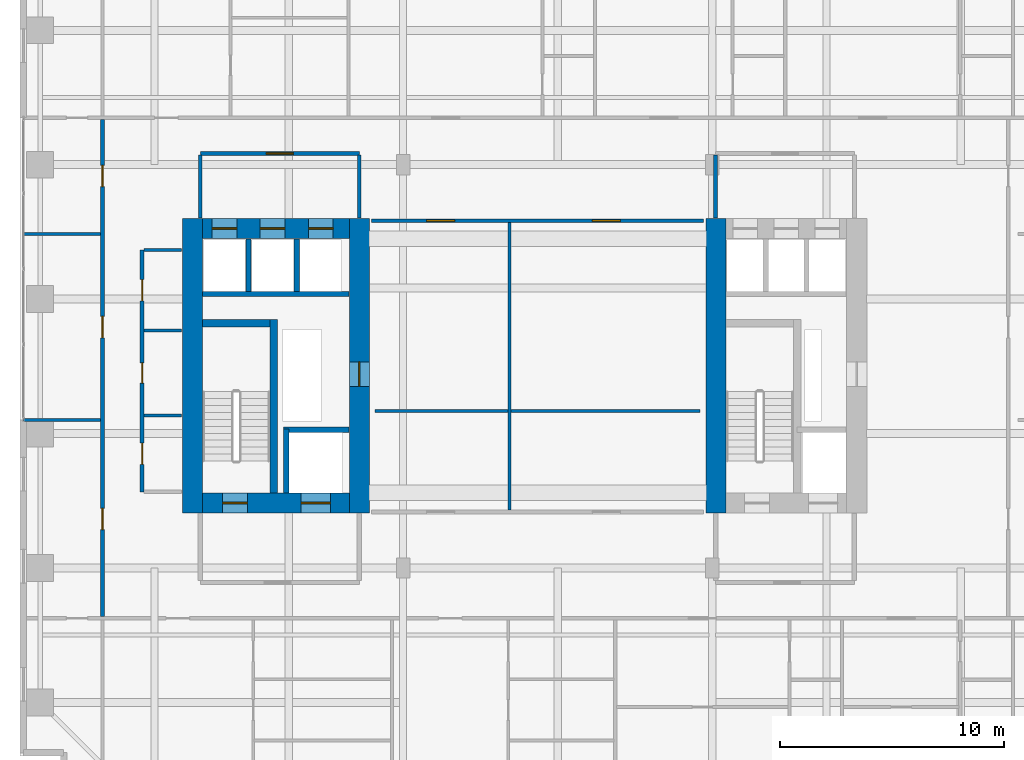
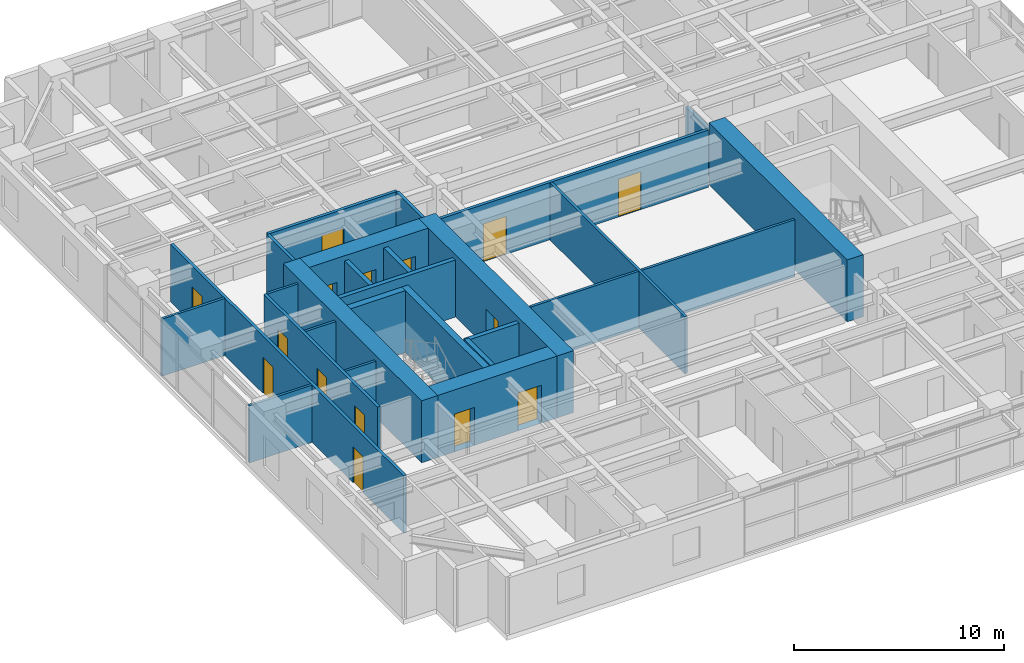
# One storey, part 20 of 24: 26 walls, 15 doors, 15 openings.
"""IFC4 building model written with IfcOpenShell, lengths in metres."""

import ifcopenshell
import ifcopenshell.guid

model = None  # the IFC model being written
_history = None  # IfcOwnerHistory: only IFC2X3 demands one
_inside = {}  # id of a spatial element -> (the spatial element, [elements in it])
_under = {}  # id of a project, library or spatial element -> (it, [spatial elements below it])
_declared = {}  # id of a project -> (the project, [libraries it declares])
_typed = {}  # id of a type object -> (the type object, [elements of that type])
_made_of = {}  # id of a material, layer set ... -> (it, [elements and type objects made of it])


def new_model(schema):
    """Start an empty IFC model of exactly this schema.

    Asked for "IFC4X3", IfcOpenShell would pick the latest addendum, in which some entities
    have other attributes; the version numbers below select the first issue.
    IFC2X3 requires an IfcOwnerHistory on every rooted entity: one is made here for all.
    """
    global model, _history
    if schema == "IFC4X3":
        model = ifcopenshell.file(schema_version=(4, 3, 0, 0))
    else:
        model = ifcopenshell.file(schema=schema)
    _inside.clear()
    _under.clear()
    _declared.clear()
    _typed.clear()
    _made_of.clear()
    _history = None
    if model.schema == "IFC2X3":
        org = make("IfcOrganization", Name="unknown")
        user = make(
            "IfcPersonAndOrganization",
            ThePerson=make("IfcPerson", FamilyName="unknown"),
            TheOrganization=org,
        )
        app = make(
            "IfcApplication",
            ApplicationDeveloper=org,
            Version="unknown",
            ApplicationFullName="unknown",
            ApplicationIdentifier="unknown",
        )
        _history = make(
            "IfcOwnerHistory",
            OwningUser=user,
            OwningApplication=app,
            ChangeAction="ADDED",
            CreationDate=0,
        )
    return model


def make(cls, **values):
    """One entity of the class cls with the attributes given. An attribute that is None is left unset."""
    return model.create_entity(
        cls, **{name: value for name, value in values.items() if value is not None}
    )


def rooted(cls, **values):
    """An entity with a GlobalId (a new one), such as an element, a storey or a relation."""
    return make(cls, GlobalId=ifcopenshell.guid.new(), OwnerHistory=_history, **values)


def si_unit(unit_type, name, prefix=None):
    """IfcSIUnit, for example si_unit("LENGTHUNIT", "METRE", prefix="MILLI")."""
    return make("IfcSIUnit", UnitType=unit_type, Prefix=prefix, Name=name)


def assignment(units):
    """IfcUnitAssignment: the units of a project."""
    return None if units is None else make("IfcUnitAssignment", Units=units)


def point(xyz):
    """IfcCartesianPoint."""
    return None if xyz is None else make("IfcCartesianPoint", Coordinates=xyz)


def direction(xyz):
    """IfcDirection."""
    return None if xyz is None else make("IfcDirection", DirectionRatios=xyz)


def frame(location, z_axis=None, x_axis=None):
    """IfcAxis2Placement3D, a coordinate frame: its origin and axes. An axis left out is left unset."""
    return make(
        "IfcAxis2Placement3D",
        Location=point(location),
        Axis=direction(z_axis),
        RefDirection=direction(x_axis),
    )


def frame_2d(location, x_axis=None):
    """IfcAxis2Placement2D, a coordinate frame in the plane: its origin and x axis."""
    return make(
        "IfcAxis2Placement2D", Location=point(location), RefDirection=direction(x_axis)
    )


def origin():
    """The frame at (0, 0, 0) with its axes left unset."""
    return frame((0.0, 0.0, 0.0))


def place(relative_to, where):
    """IfcLocalPlacement: puts the frame where relative to a parent placement (None: the world)."""
    return make(
        "IfcLocalPlacement", PlacementRelTo=relative_to, RelativePlacement=where
    )


def context(
    kind, dimensions, precision=None, world=None, true_north=None, identifier=None
):
    """IfcGeometricRepresentationContext, for example the 3D "Model" context."""
    return make(
        "IfcGeometricRepresentationContext",
        ContextIdentifier=identifier,
        ContextType=kind,
        CoordinateSpaceDimension=dimensions,
        Precision=precision,
        WorldCoordinateSystem=world,
        TrueNorth=true_north,
    )


def subcontext(parent, identifier, kind, view, scale=None):
    """IfcGeometricRepresentationSubContext, for example "Body" below "Model"."""
    return make(
        "IfcGeometricRepresentationSubContext",
        ContextIdentifier=identifier,
        ContextType=kind,
        ParentContext=parent,
        TargetScale=scale,
        TargetView=view,
    )


def project(units=None, contexts=None):
    """IfcProject with its units and contexts."""
    return rooted(
        "IfcProject",
        Name="project",
        RepresentationContexts=contexts,
        UnitsInContext=assignment(units),
    )


def spatial(cls, under=None, at=None, **own):
    """A site, building, storey or space (cls), placed at a placement, below another one or the project."""
    s = rooted(cls, ObjectPlacement=at, **own)
    if under is not None:
        _under.setdefault(under.id(), (under, []))[1].append(s)
    return s


def profile(cls, at=None, kind="AREA", **sizes):
    """A parametric profile (cls). Its sizes go by their IFC names, for example OverallWidth=200.0."""
    return make(cls, ProfileType=kind, Position=at, **sizes)


def rectangle(**sizes):
    """IfcRectangleProfileDef."""
    return profile("IfcRectangleProfileDef", **sizes)


def extrude(swept, where, along, depth):
    """IfcExtrudedAreaSolid: the profile swept, set in the frame where, extruded along a direction by depth."""
    return make(
        "IfcExtrudedAreaSolid",
        SweptArea=swept,
        Position=where,
        ExtrudedDirection=direction(along),
        Depth=depth,
    )


def shape(context_of_items, identifier, shape_type, items):
    """IfcShapeRepresentation: the items that make up one representation, for example the "Body"."""
    return make(
        "IfcShapeRepresentation",
        ContextOfItems=context_of_items,
        RepresentationIdentifier=identifier,
        RepresentationType=shape_type,
        Items=items,
    )


def source(mapping_origin, context_of_items, identifier, shape_type, items):
    """IfcRepresentationMap: a shape defined once, which mapped items show again and again."""
    return make(
        "IfcRepresentationMap",
        MappingOrigin=mapping_origin,
        MappedRepresentation=shape(context_of_items, identifier, shape_type, items),
    )


def transform(
    local_origin,
    x_axis=None,
    y_axis=None,
    z_axis=None,
    scale=None,
    scale2=None,
    scale3=None,
    uniform=True,
):
    """IfcCartesianTransformationOperator3D, or its non-uniform kind. x_axis, y_axis, z_axis: its Axis1, 2, 3."""
    if uniform:
        return make(
            "IfcCartesianTransformationOperator3D",
            Axis1=direction(x_axis),
            Axis2=direction(y_axis),
            LocalOrigin=point(local_origin),
            Scale=scale,
            Axis3=direction(z_axis),
        )
    return make(
        "IfcCartesianTransformationOperator3DnonUniform",
        Axis1=direction(x_axis),
        Axis2=direction(y_axis),
        LocalOrigin=point(local_origin),
        Scale=scale,
        Axis3=direction(z_axis),
        Scale2=scale2,
        Scale3=scale3,
    )


def mapped(mapping_source, mapping_target):
    """IfcMappedItem: shows the shape of a source again, moved by a transform."""
    return make(
        "IfcMappedItem", MappingSource=mapping_source, MappingTarget=mapping_target
    )


def material(Name=None, Category=None):
    """IfcMaterial."""
    return make("IfcMaterial", Name=Name, Category=Category)


def layer(
    of_material, thickness, ventilated=None, Name=None, Category=None, Priority=None
):
    """IfcMaterialLayer: one layer of a wall or slab, of a material (None: an air gap)."""
    return make(
        "IfcMaterialLayer",
        Material=of_material,
        LayerThickness=thickness,
        IsVentilated=ventilated,
        Name=Name,
        Category=Category,
        Priority=Priority,
    )


def layer_set(layers, Name=None):
    """IfcMaterialLayerSet."""
    return make("IfcMaterialLayerSet", MaterialLayers=layers, LayerSetName=Name)


def made_of(thing, what):
    """Note that an element or type object is made of a material, layer set ...; save() writes the relation."""
    if what is not None:
        _made_of.setdefault(what.id(), (what, []))[1].append(thing)
    return thing


def type_object(cls, material=None, **own):
    """A type object (cls), such as IfcWallType, which elements share."""
    return made_of(rooted(cls, **own), material)


def element(
    cls,
    number,
    at=None,
    inside=None,
    cuts=None,
    type_object=None,
    material=None,
    context=None,
    identifier="Body",
    shape_type=None,
    held_by="IfcProductDefinitionShape",
    body=None,
    shapes=None,
    **own,
):
    """One element of the class cls, such as IfcWall. Its Tag is "e" and its number.

    at: its placement. inside: the storey or other place that contains it. cuts: it is an
    opening in that element (IfcRelVoidsElement). A single representation is given by context,
    identifier, shape_type and body (its items); several are given by shapes. held_by: the class
    of the entity that holds the representations. save() writes the other relations.
    """
    e = rooted(cls, Tag="e%d" % number, ObjectPlacement=at, **own)
    if body is not None:
        shapes = [shape(context, identifier, shape_type, body)]
    if shapes is not None:
        e.Representation = make(held_by, Representations=shapes)
    if inside is not None:
        _inside.setdefault(inside.id(), (inside, []))[1].append(e)
    if cuts is not None:
        rooted(
            "IfcRelVoidsElement", RelatingBuildingElement=cuts, RelatedOpeningElement=e
        )
    if type_object is not None:
        _typed.setdefault(type_object.id(), (type_object, []))[1].append(e)
    return made_of(e, material)


def fill(opening, filler):
    """IfcRelFillsElement: the door or window that sits in an opening."""
    return rooted(
        "IfcRelFillsElement",
        RelatingOpeningElement=opening,
        RelatedBuildingElement=filler,
    )


def aggregate(whole, parts):
    """IfcRelAggregates: a whole, such as a stair, and the parts it consists of."""
    return rooted("IfcRelAggregates", RelatingObject=whole, RelatedObjects=parts)


def save(model, path):
    """Write the relations noted so far, then the file.

    IfcRelAggregates (storeys below a building ...), IfcRelContainedInSpatialStructure (elements
    in a storey), IfcRelDefinesByType, IfcRelAssociatesMaterial and IfcRelDeclares: one each for
    every whole, place, type object, material and project.
    """
    for whole, parts in _under.values():
        aggregate(whole, parts)
    for where, things in _inside.values():
        rooted(
            "IfcRelContainedInSpatialStructure",
            RelatedElements=things,
            RelatingStructure=where,
        )
    for kind, things in _typed.values():
        rooted("IfcRelDefinesByType", RelatedObjects=things, RelatingType=kind)
    for what, things in _made_of.values():
        rooted("IfcRelAssociatesMaterial", RelatedObjects=things, RelatingMaterial=what)
    for by, libraries in _declared.values():
        rooted("IfcRelDeclares", RelatingContext=by, RelatedDefinitions=libraries)
    model.write(path)


model = new_model("IFC4")

# Units and contexts
model_context = context("Model", 3, precision=1e-05, world=origin(), true_north=direction((0.0, 1.0)))
body_context = subcontext(model_context, "Body", "Model", "MODEL_VIEW")
ifc_project = project(units=[si_unit("LENGTHUNIT", "METRE"), si_unit("AREAUNIT", "SQUARE_METRE"), si_unit("VOLUMEUNIT", "CUBIC_METRE"), si_unit("PLANEANGLEUNIT", "RADIAN"), si_unit("MASSUNIT", "GRAM", prefix="KILO")], contexts=[model_context])

# Site, building, storey
site_placement = place(None, origin())
site = spatial("IfcSite", under=ifc_project, at=site_placement, CompositionType="ELEMENT")
building_placement = place(site_placement, origin())
building = spatial("IfcBuilding", under=site, at=building_placement, Name="Khoralis Quay Care Tower", CompositionType="ELEMENT")
storey_placement = place(building_placement, frame((0.0, 0.0, 54.89990234375)))
storey = spatial("IfcBuildingStorey", under=building, at=storey_placement, Name="L14", CompositionType="ELEMENT", Elevation=54.89990234375)

# Wall
ifc_material_1 = material(Name="Concrete C80/95", Category="concrete")
ifc_layer_1 = layer(ifc_material_1, 0.89990234375)
ifc_layer_set_1 = layer_set([ifc_layer_1], Name="Concrete C80/95")
wall_type_1 = type_object("IfcWallType", Name="WL-CORE-900", PredefinedType="SHEAR", material=ifc_layer_set_1)
wall_1_placement = place(storey_placement, frame((7.699951171875, 14.449951171875, 0.0), z_axis=(0.0, 0.0, 1.0), x_axis=(0.0, 1.0, 0.0)))
element("IfcWall", 1, at=wall_1_placement, inside=storey, type_object=wall_type_1, Name="L14 WCORE West Shear Wall", PredefinedType="SHEAR", context=body_context, shape_type="SweptSolid", body=[
    extrude(rectangle(XDim=13.150146484375, YDim=0.89990234375, at=frame_2d((6.5751953125, 0.0))), origin(), (0.0, 0.0, 1.0), 3.60009765625),
])

# Wall, opening, door
wall_2_placement = place(storey_placement, frame((15.14990234375, 14.449951171875, 0.0), z_axis=(0.0, 0.0, 1.0), x_axis=(0.0, 1.0, 0.0)))
wall_2 = element("IfcWall", 2, at=wall_2_placement, inside=storey, type_object=wall_type_1, Name="L14 WCORE East Shear Wall", PredefinedType="SHEAR", context=body_context, shape_type="SweptSolid", body=[
    extrude(rectangle(XDim=13.150146484375, YDim=0.89990234375, at=frame_2d((6.5751953125, 0.0))), origin(), (0.0, 0.0, 1.0), 3.60009765625),
])
opening_1_placement = place(wall_2_placement, frame((5.64990234375, 0.0, 0.0)))
opening_1 = element("IfcOpeningElement", 3, at=opening_1_placement, cuts=wall_2, Name="Opening SD1", PredefinedType="OPENING", context=body_context, shape_type="SweptSolid", body=[
    extrude(rectangle(XDim=1.10009765625, YDim=2.199951171875, at=frame_2d((0.550048828125, 1.10009765625))), frame((0.0, 0.4599609375, 0.0), z_axis=(0.0, -1.0, 0.0), x_axis=(1.0, 0.0, 0.0)), (0.0, 0.0, 1.0), 0.919921875),
])
ifc_material_2 = material(Name="Fire-rated painted steel", Category="steel")
door_type_1 = type_object("IfcDoorType", Name="DR-STAIR-1100X2200", OperationType="NOTDEFINED", PredefinedType="DOOR", material=ifc_material_2)
shared_shape_1 = source(origin(), body_context, "Body", "SweptSolid", [
    extrude(rectangle(XDim=1.10009765625, YDim=2.199951171875, at=frame_2d((0.550048828125, 1.10009765625))), frame((0.0, 0.02490234375, 0.0), z_axis=(0.0, -1.0, 0.0), x_axis=(1.0, 0.0, 0.0)), (0.0, 0.0, 1.0), 0.050048828125),
])
door_1_placement = place(opening_1_placement, origin())
door_1 = element("IfcDoor", 4, at=door_1_placement, inside=storey, type_object=door_type_1, Name="L14 West MEP Riser Door", OperationType="SINGLE_SWING_RIGHT", OverallHeight=2.199951171875, OverallWidth=1.10009765625, PredefinedType="DOOR", context=body_context, shape_type="MappedRepresentation", body=[
    mapped(shared_shape_1, transform((0.0, 0.0, 0.0), scale=1.0)),
])
fill(opening_1, door_1)

# Wall, openings, doors
wall_3_placement = place(storey_placement, frame((8.14990234375, 14.89990234375, 0.0), z_axis=(0.0, 0.0, 1.0), x_axis=(1.0, 0.0, 0.0)))
wall_3 = element("IfcWall", 5, at=wall_3_placement, inside=storey, type_object=wall_type_1, Name="L14 WCORE South Shear Wall", PredefinedType="SHEAR", context=body_context, shape_type="SweptSolid", body=[
    extrude(rectangle(XDim=6.550048828125, YDim=0.89990234375, at=frame_2d((3.27490234375, 0.0))), origin(), (0.0, 0.0, 1.0), 3.60009765625),
])
opening_2_placement = place(wall_3_placement, frame((0.89990234375, 0.0, 0.0)))
opening_2 = element("IfcOpeningElement", 6, at=opening_2_placement, cuts=wall_3, Name="Opening SD1", PredefinedType="OPENING", context=body_context, shape_type="SweptSolid", body=[
    extrude(rectangle(XDim=1.10009765625, YDim=2.199951171875, at=frame_2d((0.550048828125, 1.10009765625))), frame((0.0, 0.4599609375, 0.0), z_axis=(0.0, -1.0, 0.0), x_axis=(1.0, 0.0, 0.0)), (0.0, 0.0, 1.0), 0.919921875),
])
opening_3_placement = place(wall_3_placement, frame((4.39990234375, 0.0, 0.0)))
opening_3 = element("IfcOpeningElement", 7, at=opening_3_placement, cuts=wall_3, Name="Opening LD2", PredefinedType="OPENING", context=body_context, shape_type="SweptSolid", body=[
    extrude(rectangle(XDim=1.300048828125, YDim=2.199951171875, at=frame_2d((0.64990234375, 1.10009765625))), frame((0.0, 0.4599609375, 0.0), z_axis=(0.0, -1.0, 0.0), x_axis=(1.0, 0.0, 0.0)), (0.0, 0.0, 1.0), 0.919921875),
])
door_2_placement = place(opening_2_placement, origin())
door_2 = element("IfcDoor", 8, at=door_2_placement, inside=storey, type_object=door_type_1, Name="L14 Stair ST-T1 Fire Door", OperationType="SINGLE_SWING_RIGHT", OverallHeight=2.199951171875, OverallWidth=1.10009765625, PredefinedType="DOOR", context=body_context, shape_type="MappedRepresentation", body=[
    mapped(shared_shape_1, transform((0.0, 0.0, 0.0), scale=1.0)),
])
fill(opening_2, door_2)
ifc_material_3 = material(Name="Brushed stainless steel", Category="steel")
door_type_2 = type_object("IfcDoorType", Name="DR-LIFT-1300X2200", OperationType="SLIDING_TO_RIGHT", PredefinedType="DOOR", material=ifc_material_3)
shared_shape_2 = source(origin(), body_context, "Body", "SweptSolid", [
    extrude(rectangle(XDim=1.300048828125, YDim=2.199951171875, at=frame_2d((0.64990234375, 1.10009765625))), frame((0.0, 0.02490234375, 0.0), z_axis=(0.0, -1.0, 0.0), x_axis=(1.0, 0.0, 0.0)), (0.0, 0.0, 1.0), 0.050048828125),
])
door_3_placement = place(opening_3_placement, origin())
door_3 = element("IfcDoor", 9, at=door_3_placement, inside=storey, type_object=door_type_2, Name="L14 Firefighting Lift FFL-1 Landing Door", OperationType="SLIDING_TO_RIGHT", OverallHeight=2.199951171875, OverallWidth=1.300048828125, PredefinedType="DOOR", context=body_context, shape_type="MappedRepresentation", body=[
    mapped(shared_shape_2, transform((0.0, 0.0, 0.0), scale=1.0)),
])
fill(opening_3, door_3)

wall_4_placement = place(storey_placement, frame((8.14990234375, 27.14990234375, 0.0), z_axis=(0.0, 0.0, 1.0), x_axis=(1.0, 0.0, 0.0)))
wall_4 = element("IfcWall", 10, at=wall_4_placement, inside=storey, type_object=wall_type_1, Name="L14 WCORE North Shear Wall", PredefinedType="SHEAR", context=body_context, shape_type="SweptSolid", body=[
    extrude(rectangle(XDim=6.550048828125, YDim=0.89990234375, at=frame_2d((3.27490234375, 0.0))), origin(), (0.0, 0.0, 1.0), 3.60009765625),
])
opening_4_placement = place(wall_4_placement, frame((0.429931640625, 0.0, 0.0)))
opening_4 = element("IfcOpeningElement", 11, at=opening_4_placement, cuts=wall_4, Name="Opening LD1", PredefinedType="OPENING", context=body_context, shape_type="SweptSolid", body=[
    extrude(rectangle(XDim=1.10009765625, YDim=2.199951171875, at=frame_2d((0.550048828125, 1.10009765625))), frame((0.0, 0.4599609375, 0.0), z_axis=(0.0, -1.0, 0.0), x_axis=(1.0, 0.0, 0.0)), (0.0, 0.0, 1.0), 0.919921875),
])
opening_5_placement = place(wall_4_placement, frame((2.570068359375, 0.0, 0.0)))
opening_5 = element("IfcOpeningElement", 12, at=opening_5_placement, cuts=wall_4, Name="Opening LD1", PredefinedType="OPENING", context=body_context, shape_type="SweptSolid", body=[
    extrude(rectangle(XDim=1.10009765625, YDim=2.199951171875, at=frame_2d((0.550048828125, 1.10009765625))), frame((0.0, 0.4599609375, 0.0), z_axis=(0.0, -1.0, 0.0), x_axis=(1.0, 0.0, 0.0)), (0.0, 0.0, 1.0), 0.919921875),
])
opening_6_placement = place(wall_4_placement, frame((4.72998046875, 0.0, 0.0)))
opening_6 = element("IfcOpeningElement", 13, at=opening_6_placement, cuts=wall_4, Name="Opening LD1", PredefinedType="OPENING", context=body_context, shape_type="SweptSolid", body=[
    extrude(rectangle(XDim=1.10009765625, YDim=2.199951171875, at=frame_2d((0.550048828125, 1.10009765625))), frame((0.0, 0.4599609375, 0.0), z_axis=(0.0, -1.0, 0.0), x_axis=(1.0, 0.0, 0.0)), (0.0, 0.0, 1.0), 0.919921875),
])
door_type_3 = type_object("IfcDoorType", Name="DR-LIFT-1100X2200", OperationType="SLIDING_TO_LEFT", PredefinedType="DOOR", material=ifc_material_3)
shared_shape_3 = source(origin(), body_context, "Body", "SweptSolid", [
    extrude(rectangle(XDim=1.10009765625, YDim=2.199951171875, at=frame_2d((0.550048828125, 1.10009765625))), frame((0.0, 0.02490234375, 0.0), z_axis=(0.0, -1.0, 0.0), x_axis=(1.0, 0.0, 0.0)), (0.0, 0.0, 1.0), 0.050048828125),
])
door_4_placement = place(opening_4_placement, origin())
door_4 = element("IfcDoor", 14, at=door_4_placement, inside=storey, type_object=door_type_3, Name="L14 Lift PLL1 Landing Door", OperationType="SLIDING_TO_LEFT", OverallHeight=2.199951171875, OverallWidth=1.10009765625, PredefinedType="DOOR", context=body_context, shape_type="MappedRepresentation", body=[
    mapped(shared_shape_3, transform((0.0, 0.0, 0.0), scale=1.0)),
])
fill(opening_4, door_4)
door_5_placement = place(opening_5_placement, origin())
door_5 = element("IfcDoor", 15, at=door_5_placement, inside=storey, type_object=door_type_3, Name="L14 Lift PLM1 Landing Door", OperationType="SLIDING_TO_LEFT", OverallHeight=2.199951171875, OverallWidth=1.10009765625, PredefinedType="DOOR", context=body_context, shape_type="MappedRepresentation", body=[
    mapped(shared_shape_3, transform((0.0, 0.0, 0.0), scale=1.0)),
])
fill(opening_5, door_5)
door_6_placement = place(opening_6_placement, origin())
door_6 = element("IfcDoor", 16, at=door_6_placement, inside=storey, type_object=door_type_3, Name="L14 Lift PLH1 Landing Door", OperationType="SLIDING_TO_LEFT", OverallHeight=2.199951171875, OverallWidth=1.10009765625, PredefinedType="DOOR", context=body_context, shape_type="MappedRepresentation", body=[
    mapped(shared_shape_3, transform((0.0, 0.0, 0.0), scale=1.0)),
])
fill(opening_6, door_6)

# Wall
wall_5_placement = place(storey_placement, frame((31.070068359375, 14.449951171875, 0.0), z_axis=(0.0, 0.0, 1.0), x_axis=(0.0, 1.0, 0.0)))
element("IfcWall", 17, at=wall_5_placement, inside=storey, type_object=wall_type_1, Name="L14 ECORE West Shear Wall", PredefinedType="SHEAR", context=body_context, shape_type="SweptSolid", body=[
    extrude(rectangle(XDim=13.150146484375, YDim=0.89990234375, at=frame_2d((6.5751953125, 0.0))), origin(), (0.0, 0.0, 1.0), 3.60009765625),
])

# Wall, opening, door
ifc_material_4 = material(Name="Gypsum plasterboard on acoustic metal stud")
ifc_layer_2 = layer(ifc_material_4, 0.1650390625)
ifc_layer_set_2 = layer_set([ifc_layer_2], Name="Gypsum plasterboard on acoustic metal stud")
wall_type_2 = type_object("IfcWallType", Name="WL-CORR-165", PredefinedType="PARTITIONING", material=ifc_layer_set_2)
wall_6_placement = place(storey_placement, frame((8.050048828125, 30.5, 0.0), z_axis=(0.0, 0.0, 1.0), x_axis=(1.0, 0.0, 0.0)))
wall_6 = element("IfcWall", 18, at=wall_6_placement, inside=storey, type_object=wall_type_2, Name="L14 West Lift Lobby North Wall", PredefinedType="PARTITIONING", context=body_context, shape_type="SweptSolid", body=[
    extrude(rectangle(XDim=7.099853515625, YDim=0.1650390625, at=frame_2d((3.5498046875, 0.0))), origin(), (0.0, 0.0, 1.0), 3.320068359375),
])
opening_7_placement = place(wall_6_placement, frame((2.949951171875, 0.0, 0.0)))
opening_7 = element("IfcOpeningElement", 19, at=opening_7_placement, cuts=wall_6, Name="Opening FD1", PredefinedType="OPENING", context=body_context, shape_type="SweptSolid", body=[
    extrude(rectangle(XDim=1.199951171875, YDim=2.199951171875, at=frame_2d((0.60009765625, 1.10009765625))), frame((0.0, 0.092529296875, 0.0), z_axis=(0.0, -1.0, 0.0), x_axis=(1.0, 0.0, 0.0)), (0.0, 0.0, 1.0), 0.18505859375),
])
door_type_4 = type_object("IfcDoorType", Name="DR-FFL-1200X2200", OperationType="NOTDEFINED", PredefinedType="DOOR", material=ifc_material_2)
shared_shape_4 = source(origin(), body_context, "Body", "SweptSolid", [
    extrude(rectangle(XDim=1.199951171875, YDim=2.199951171875, at=frame_2d((0.60009765625, 1.10009765625))), frame((0.0, 0.02490234375, 0.0), z_axis=(0.0, -1.0, 0.0), x_axis=(1.0, 0.0, 0.0)), (0.0, 0.0, 1.0), 0.050048828125),
])
door_7_placement = place(opening_7_placement, origin())
door_7 = element("IfcDoor", 20, at=door_7_placement, inside=storey, type_object=door_type_4, Name="L14 West Lift Lobby Double Door", OperationType="DOUBLE_DOOR_SINGLE_SWING", OverallHeight=2.199951171875, OverallWidth=1.199951171875, PredefinedType="DOOR", context=body_context, shape_type="MappedRepresentation", body=[
    mapped(shared_shape_4, transform((0.0, 0.0, 0.0), scale=1.0)),
])
fill(opening_7, door_7)

# Walls
for number, where, z_axis, x_axis, name in (
    (21, (8.050048828125, 27.6201171875, 0.0), (0.0, 0.0, 1.0), (0.0, 1.0, 0.0), "L14 West Lift Lobby West Wall"),
    (22, (15.14990234375, 27.6201171875, 0.0), (0.0, 0.0, 1.0), (0.0, 1.0, 0.0), "L14 West Lift Lobby East Wall"),
):
    element("IfcWall", number, at=place(storey_placement, frame(where, z_axis=z_axis, x_axis=x_axis)), inside=storey, type_object=wall_type_2, Name=name, PredefinedType="PARTITIONING", context=body_context, shape_type="SweptSolid", body=[
        extrude(rectangle(XDim=2.802490234375, YDim=0.1650390625, at=frame_2d((1.4013671875, 0.0))), origin(), (0.0, 0.0, 1.0), 3.320068359375),
    ])
wall_7_placement = place(storey_placement, frame((31.050048828125, 27.6201171875, 0.0), z_axis=(0.0, 0.0, 1.0), x_axis=(0.0, 1.0, 0.0)))
element("IfcWall", 23, at=wall_7_placement, inside=storey, type_object=wall_type_2, Name="L14 East Lift Lobby West Wall", PredefinedType="PARTITIONING", context=body_context, shape_type="SweptSolid", body=[
    extrude(rectangle(XDim=2.802490234375, YDim=0.1650390625, at=frame_2d((1.4013671875, 0.0))), origin(), (0.0, 0.0, 1.0), 2.7041015625),
])

# Wall, openings, doors
wall_8_placement = place(storey_placement, frame((5.449951171875, 15.39990234375, 0.0), z_axis=(0.0, 0.0, 1.0), x_axis=(0.0, 1.0, 0.0)))
wall_8 = element("IfcWall", 24, at=wall_8_placement, inside=storey, type_object=wall_type_2, Name="L14 West Core Service Flank Wall", PredefinedType="PARTITIONING", context=body_context, shape_type="SweptSolid", body=[
    extrude(rectangle(XDim=10.800048828125, YDim=0.1650390625, at=frame_2d((5.39990234375, 0.0))), origin(), (0.0, 0.0, 1.0), 3.320068359375),
])
opening_8_placement = place(wall_8_placement, frame((1.22509765625, 0.0, 0.0)))
opening_8 = element("IfcOpeningElement", 25, at=opening_8_placement, cuts=wall_8, Name="Opening ID1", PredefinedType="OPENING", context=body_context, shape_type="SweptSolid", body=[
    extrude(rectangle(XDim=0.949951171875, YDim=2.10009765625, at=frame_2d((0.47509765625, 1.050048828125))), frame((0.0, 0.092529296875, 0.0), z_axis=(0.0, -1.0, 0.0), x_axis=(1.0, 0.0, 0.0)), (0.0, 0.0, 1.0), 0.18505859375),
])
opening_9_placement = place(wall_8_placement, frame((4.85009765625, 0.0, 0.0)))
opening_9 = element("IfcOpeningElement", 26, at=opening_9_placement, cuts=wall_8, Name="Opening WD1", PredefinedType="OPENING", context=body_context, shape_type="SweptSolid", body=[
    extrude(rectangle(XDim=0.89990234375, YDim=2.10009765625, at=frame_2d((0.449951171875, 1.050048828125))), frame((0.0, 0.092529296875, 0.0), z_axis=(0.0, -1.0, 0.0), x_axis=(1.0, 0.0, 0.0)), (0.0, 0.0, 1.0), 0.18505859375),
])
opening_10_placement = place(wall_8_placement, frame((8.52490234375, 0.0, 0.0)))
opening_10 = element("IfcOpeningElement", 27, at=opening_10_placement, cuts=wall_8, Name="Opening ID1", PredefinedType="OPENING", context=body_context, shape_type="SweptSolid", body=[
    extrude(rectangle(XDim=0.949951171875, YDim=2.10009765625, at=frame_2d((0.47509765625, 1.050048828125))), frame((0.0, 0.092529296875, 0.0), z_axis=(0.0, -1.0, 0.0), x_axis=(1.0, 0.0, 0.0)), (0.0, 0.0, 1.0), 0.18505859375),
])
ifc_material_5 = material(Name="Acoustic hardwood timber", Category="wood")
door_type_5 = type_object("IfcDoorType", Name="DR-BATH-900X2100", OperationType="NOTDEFINED", PredefinedType="DOOR", material=ifc_material_5)
shared_shape_5 = source(origin(), body_context, "Body", "SweptSolid", [
    extrude(rectangle(XDim=0.89990234375, YDim=2.10009765625, at=frame_2d((0.449951171875, 1.050048828125))), frame((0.0, 0.02490234375, 0.0), z_axis=(0.0, -1.0, 0.0), x_axis=(1.0, 0.0, 0.0)), (0.0, 0.0, 1.0), 0.050048828125),
])
door_8_placement = place(opening_9_placement, frame((0.89990234375, 0.0, 0.0), z_axis=(0.0, 0.0, 1.0), x_axis=(-1.0, 0.0, 0.0)))
door_8 = element("IfcDoor", 28, at=door_8_placement, inside=storey, type_object=door_type_5, Name="L14 Public Accessible WC Door", OperationType="SINGLE_SWING_RIGHT", OverallHeight=2.10009765625, OverallWidth=0.89990234375, PredefinedType="DOOR", context=body_context, shape_type="MappedRepresentation", body=[
    mapped(shared_shape_5, transform((0.0, 0.0, 0.0), scale=1.0)),
])
fill(opening_9, door_8)
door_type_6 = type_object("IfcDoorType", Name="DR-ROOM-950X2100", OperationType="NOTDEFINED", PredefinedType="DOOR", material=ifc_material_5)
shared_shape_6 = source(origin(), body_context, "Body", "SweptSolid", [
    extrude(rectangle(XDim=0.949951171875, YDim=2.10009765625, at=frame_2d((0.47509765625, 1.050048828125))), frame((0.0, 0.02490234375, 0.0), z_axis=(0.0, -1.0, 0.0), x_axis=(1.0, 0.0, 0.0)), (0.0, 0.0, 1.0), 0.050048828125),
])
door_9_placement = place(opening_8_placement, frame((0.949951171875, 0.0, 0.0), z_axis=(0.0, 0.0, 1.0), x_axis=(-1.0, 0.0, 0.0)))
door_9 = element("IfcDoor", 29, at=door_9_placement, inside=storey, type_object=door_type_6, Name="L14 Clean Utility Store Door", OperationType="SINGLE_SWING_LEFT", OverallHeight=2.10009765625, OverallWidth=0.949951171875, PredefinedType="DOOR", context=body_context, shape_type="MappedRepresentation", body=[
    mapped(shared_shape_6, transform((0.0, 0.0, 0.0), scale=1.0)),
])
fill(opening_8, door_9)
door_10_placement = place(opening_10_placement, frame((0.949951171875, 0.0, 0.0), z_axis=(0.0, 0.0, 1.0), x_axis=(-1.0, 0.0, 0.0)))
door_10 = element("IfcDoor", 30, at=door_10_placement, inside=storey, type_object=door_type_6, Name="L14 Electrical Switchboard Room Door", OperationType="SINGLE_SWING_LEFT", OverallHeight=2.10009765625, OverallWidth=0.949951171875, PredefinedType="DOOR", context=body_context, shape_type="MappedRepresentation", body=[
    mapped(shared_shape_6, transform((0.0, 0.0, 0.0), scale=1.0)),
])
fill(opening_10, door_10)

wall_9_placement = place(storey_placement, frame((3.679931640625, 9.83740234375, 0.0), z_axis=(0.0, 0.0, 1.0), x_axis=(0.0, 1.0, 0.0)))
wall_9 = element("IfcWall", 31, at=wall_9_placement, inside=storey, type_object=wall_type_2, Name="L14 West Loop Corridor Wall", PredefinedType="PARTITIONING", context=body_context, shape_type="SweptSolid", body=[
    extrude(rectangle(XDim=22.18505859375, YDim=0.1650390625, at=frame_2d((11.092529296875, 0.0))), origin(), (0.0, 0.0, 1.0), 3.320068359375),
])
opening_11_placement = place(wall_9_placement, frame((3.867431640625, 0.0, 0.0)))
opening_11 = element("IfcOpeningElement", 32, at=opening_11_placement, cuts=wall_9, Name="Opening ID1", PredefinedType="OPENING", context=body_context, shape_type="SweptSolid", body=[
    extrude(rectangle(XDim=0.949951171875, YDim=2.10009765625, at=frame_2d((0.47509765625, 1.050048828125))), frame((0.0, 0.092529296875, 0.0), z_axis=(0.0, -1.0, 0.0), x_axis=(1.0, 0.0, 0.0)), (0.0, 0.0, 1.0), 0.18505859375),
])
opening_12_placement = place(wall_9_placement, frame((12.4375, 0.0, 0.0)))
opening_12 = element("IfcOpeningElement", 33, at=opening_12_placement, cuts=wall_9, Name="Opening ID1", PredefinedType="OPENING", context=body_context, shape_type="SweptSolid", body=[
    extrude(rectangle(XDim=0.949951171875, YDim=2.10009765625, at=frame_2d((0.47509765625, 1.050048828125))), frame((0.0, 0.092529296875, 0.0), z_axis=(0.0, -1.0, 0.0), x_axis=(1.0, 0.0, 0.0)), (0.0, 0.0, 1.0), 0.18505859375),
])
opening_13_placement = place(wall_9_placement, frame((19.1875, 0.0, 0.0)))
opening_13 = element("IfcOpeningElement", 34, at=opening_13_placement, cuts=wall_9, Name="Opening ID1", PredefinedType="OPENING", context=body_context, shape_type="SweptSolid", body=[
    extrude(rectangle(XDim=0.949951171875, YDim=2.10009765625, at=frame_2d((0.47509765625, 1.050048828125))), frame((0.0, 0.092529296875, 0.0), z_axis=(0.0, -1.0, 0.0), x_axis=(1.0, 0.0, 0.0)), (0.0, 0.0, 1.0), 0.18505859375),
])
door_11_placement = place(opening_11_placement, origin())
door_11 = element("IfcDoor", 35, at=door_11_placement, inside=storey, type_object=door_type_6, Name="L14 Therapy Consultation Room Door", OperationType="SINGLE_SWING_LEFT", OverallHeight=2.10009765625, OverallWidth=0.949951171875, PredefinedType="DOOR", context=body_context, shape_type="MappedRepresentation", body=[
    mapped(shared_shape_6, transform((0.0, 0.0, 0.0), scale=1.0)),
])
fill(opening_11, door_11)
door_12_placement = place(opening_12_placement, origin())
door_12 = element("IfcDoor", 36, at=door_12_placement, inside=storey, type_object=door_type_6, Name="L14 Assisted Activity Lounge Door", OperationType="SINGLE_SWING_RIGHT", OverallHeight=2.10009765625, OverallWidth=0.949951171875, PredefinedType="DOOR", context=body_context, shape_type="MappedRepresentation", body=[
    mapped(shared_shape_6, transform((0.0, 0.0, 0.0), scale=1.0)),
])
fill(opening_12, door_12)
door_13_placement = place(opening_13_placement, origin())
door_13 = element("IfcDoor", 37, at=door_13_placement, inside=storey, type_object=door_type_6, Name="L14 Nurse Charting Office Door", OperationType="SINGLE_SWING_LEFT", OverallHeight=2.10009765625, OverallWidth=0.949951171875, PredefinedType="DOOR", context=body_context, shape_type="MappedRepresentation", body=[
    mapped(shared_shape_6, transform((0.0, 0.0, 0.0), scale=1.0)),
])
fill(opening_13, door_13)

wall_10_placement = place(storey_placement, frame((15.699951171875, 27.5, 0.0), z_axis=(0.0, 0.0, 1.0), x_axis=(1.0, 0.0, 0.0)))
wall_10 = element("IfcWall", 38, at=wall_10_placement, inside=storey, type_object=wall_type_2, Name="L14 Central Clinical North Wall", PredefinedType="PARTITIONING", context=body_context, shape_type="SweptSolid", body=[
    extrude(rectangle(XDim=14.800048828125, YDim=0.1650390625, at=frame_2d((7.39990234375, 0.0))), origin(), (0.0, 0.0, 1.0), 3.320068359375),
])
opening_14_placement = place(wall_10_placement, frame((2.449951171875, 0.0, 0.0)))
opening_14 = element("IfcOpeningElement", 39, at=opening_14_placement, cuts=wall_10, Name="Opening CD1", PredefinedType="OPENING", context=body_context, shape_type="SweptSolid", body=[
    extrude(rectangle(XDim=1.25, YDim=2.199951171875, at=frame_2d((0.625, 1.10009765625))), frame((0.0, 0.092529296875, 0.0), z_axis=(0.0, -1.0, 0.0), x_axis=(1.0, 0.0, 0.0)), (0.0, 0.0, 1.0), 0.18505859375),
])
opening_15_placement = place(wall_10_placement, frame((9.85009765625, 0.0, 0.0)))
opening_15 = element("IfcOpeningElement", 40, at=opening_15_placement, cuts=wall_10, Name="Opening CD1", PredefinedType="OPENING", context=body_context, shape_type="SweptSolid", body=[
    extrude(rectangle(XDim=1.25, YDim=2.199951171875, at=frame_2d((0.625, 1.10009765625))), frame((0.0, 0.092529296875, 0.0), z_axis=(0.0, -1.0, 0.0), x_axis=(1.0, 0.0, 0.0)), (0.0, 0.0, 1.0), 0.18505859375),
])
door_type_7 = type_object("IfcDoorType", Name="DR-CARE-1250X2200", OperationType="NOTDEFINED", PredefinedType="DOOR", material=ifc_material_5)
shared_shape_7 = source(origin(), body_context, "Body", "SweptSolid", [
    extrude(rectangle(XDim=1.25, YDim=2.199951171875, at=frame_2d((0.625, 1.10009765625))), frame((0.0, 0.02490234375, 0.0), z_axis=(0.0, -1.0, 0.0), x_axis=(1.0, 0.0, 0.0)), (0.0, 0.0, 1.0), 0.050048828125),
])
door_14_placement = place(opening_14_placement, frame((1.25, 0.0, 0.0), z_axis=(0.0, 0.0, 1.0), x_axis=(-1.0, 0.0, 0.0)))
door_14 = element("IfcDoor", 41, at=door_14_placement, inside=storey, type_object=door_type_7, Name="L14 Library Lounge Door", OperationType="SINGLE_SWING_LEFT", OverallHeight=2.199951171875, OverallWidth=1.25, PredefinedType="DOOR", context=body_context, shape_type="MappedRepresentation", body=[
    mapped(shared_shape_7, transform((0.0, 0.0, 0.0), scale=1.0)),
])
fill(opening_14, door_14)
door_15_placement = place(opening_15_placement, frame((1.25, 0.0, 0.0), z_axis=(0.0, 0.0, 1.0), x_axis=(-1.0, 0.0, 0.0)))
door_15 = element("IfcDoor", 42, at=door_15_placement, inside=storey, type_object=door_type_7, Name="L14 Occupational Therapy Door", OperationType="SINGLE_SWING_RIGHT", OverallHeight=2.199951171875, OverallWidth=1.25, PredefinedType="DOOR", context=body_context, shape_type="MappedRepresentation", body=[
    mapped(shared_shape_7, transform((0.0, 0.0, 0.0), scale=1.0)),
])
fill(opening_15, door_15)

# Walls
ifc_material_6 = material(Name="Moisture-resistant gypsum and ceramic tile")
ifc_layer_3 = layer(ifc_material_6, 0.280029296875)
ifc_layer_set_3 = layer_set([ifc_layer_3], Name="Moisture-resistant gypsum and ceramic tile")
wall_type_3 = type_object("IfcWallType", Name="WL-PLUMB-280", PredefinedType="PLUMBINGWALL", material=ifc_layer_set_3)
wall_11_placement = place(storey_placement, frame((5.527587890625, 18.800048828125, 0.0), z_axis=(0.0, 0.0, 1.0), x_axis=(1.0, 0.0, 0.0)))
element("IfcWall", 43, at=wall_11_placement, inside=storey, type_object=wall_type_3, Name="L14 West Flank Divider 1", PredefinedType="PLUMBINGWALL", context=body_context, shape_type="SweptSolid", body=[
    extrude(rectangle(XDim=1.682373046875, YDim=0.139892578125, at=frame_2d((0.84130859375, 0.0))), origin(), (0.0, 0.0, 1.0), 3.320068359375),
])
ifc_material_7 = material(Name="Concrete C40/50", Category="concrete")
ifc_layer_4 = layer(ifc_material_7, 0.35009765625)
ifc_layer_set_4 = layer_set([ifc_layer_4], Name="Concrete C40/50")
wall_type_4 = type_object("IfcWallType", Name="WL-SC-CORE-350", PredefinedType="SHEAR", material=ifc_layer_set_4)
wall_12_placement = place(storey_placement, frame((11.324951171875, 15.35009765625, 0.0), z_axis=(0.0, 0.0, 1.0), x_axis=(0.0, 1.0, 0.0)))
element("IfcWall", 44, at=wall_12_placement, inside=storey, type_object=wall_type_4, Name="L14 Stair ST-T1 Shear Baffle Wall East", PredefinedType="SHEAR", context=body_context, shape_type="SweptSolid", body=[
    extrude(rectangle(XDim=7.75, YDim=0.35009765625, at=frame_2d((3.875, 0.0))), origin(), (0.0, 0.0, 1.0), 3.60009765625),
])
wall_13_placement = place(storey_placement, frame((8.14990234375, 22.925048828125, 0.0), z_axis=(0.0, 0.0, 1.0), x_axis=(1.0, 0.0, 0.0)))
element("IfcWall", 45, at=wall_13_placement, inside=storey, type_object=wall_type_4, Name="L14 Stair ST-T1 Shear Baffle Wall North", PredefinedType="SHEAR", context=body_context, shape_type="SweptSolid", body=[
    extrude(rectangle(XDim=3.0, YDim=0.35009765625, at=frame_2d((1.5, 0.0))), origin(), (0.0, 0.0, 1.0), 3.60009765625),
])
ifc_layer_5 = layer(ifc_material_4, 0.239990234375)
ifc_layer_set_5 = layer_set([ifc_layer_5], Name="Gypsum plasterboard on acoustic metal stud")
wall_type_5 = type_object("IfcWallType", Name="WL-SHAFT-240", PredefinedType="PARTITIONING", material=ifc_layer_set_5)
wall_14_placement = place(storey_placement, frame((11.8798828125, 15.35009765625, 0.0), z_axis=(0.0, 0.0, 1.0), x_axis=(0.0, 1.0, 0.0)))
element("IfcWall", 46, at=wall_14_placement, inside=storey, type_object=wall_type_5, Name="L14 FFL-1 Shaft Wall West", PredefinedType="PARTITIONING", context=body_context, shape_type="SweptSolid", body=[
    extrude(rectangle(XDim=2.849853515625, YDim=0.239990234375, at=frame_2d((1.4248046875, 0.0))), origin(), (0.0, 0.0, 1.0), 3.320068359375),
])
wall_15_placement = place(storey_placement, frame((11.760009765625, 18.169921875, 0.0), z_axis=(0.0, 0.0, 1.0), x_axis=(1.0, 0.0, 0.0)))
element("IfcWall", 47, at=wall_15_placement, inside=storey, type_object=wall_type_5, Name="L14 FFL-1 Shaft Wall North", PredefinedType="PARTITIONING", context=body_context, shape_type="SweptSolid", body=[
    extrude(rectangle(XDim=2.919921875, YDim=0.239990234375, at=frame_2d((1.4599609375, 0.0))), origin(), (0.0, 0.0, 1.0), 3.320068359375),
])
wall_16_placement = place(storey_placement, frame((8.14990234375, 24.22998046875, 0.0), z_axis=(0.0, 0.0, 1.0), x_axis=(1.0, 0.0, 0.0)))
element("IfcWall", 48, at=wall_16_placement, inside=storey, type_object=wall_type_5, Name="L14 West Passenger Shaft South Wall", PredefinedType="PARTITIONING", context=body_context, shape_type="SweptSolid", body=[
    extrude(rectangle(XDim=6.530029296875, YDim=0.239990234375, at=frame_2d((3.26513671875, 0.0))), origin(), (0.0, 0.0, 1.0), 3.320068359375),
])
for number, where, z_axis, x_axis, name in (
    (49, (10.199951171875, 24.344970703125, 0.0), (0.0, 0.0, 1.0), (0.0, 1.0, 0.0), "L14 West Shaft Divider 1"),
    (50, (12.35009765625, 24.344970703125, 0.0), (0.0, 0.0, 1.0), (0.0, 1.0, 0.0), "L14 West Shaft Divider 2"),
):
    element("IfcWall", number, at=place(storey_placement, frame(where, z_axis=z_axis, x_axis=x_axis)), inside=storey, type_object=wall_type_5, Name=name, PredefinedType="PARTITIONING", context=body_context, shape_type="SweptSolid", body=[
        extrude(rectangle(XDim=2.3349609375, YDim=0.239990234375, at=frame_2d((1.16748046875, 0.0))), origin(), (0.0, 0.0, 1.0), 3.320068359375),
    ])
ifc_layer_6 = layer(ifc_material_4, 0.139892578125)
ifc_layer_set_6 = layer_set([ifc_layer_6], Name="Gypsum plasterboard on acoustic metal stud")
wall_type_6 = type_object("IfcWallType", Name="WL-UNIT-140", PredefinedType="PARTITIONING", material=ifc_layer_set_6)
for number, where, z_axis, x_axis, name in (
    (51, (5.527587890625, 26.199951171875, 0.0), (0.0, 0.0, 1.0), (1.0, 0.0, 0.0), "L14 West Flank North Cap"),
    (52, (5.527587890625, 22.60009765625, 0.0), (0.0, 0.0, 1.0), (1.0, 0.0, 0.0), "L14 West Flank Divider 2"),
):
    element("IfcWall", number, at=place(storey_placement, frame(where, z_axis=z_axis, x_axis=x_axis)), inside=storey, type_object=wall_type_6, Name=name, PredefinedType="PARTITIONING", context=body_context, shape_type="SweptSolid", body=[
        extrude(rectangle(XDim=1.682373046875, YDim=0.139892578125, at=frame_2d((0.84130859375, 0.0))), origin(), (0.0, 0.0, 1.0), 3.320068359375),
    ])
for number, where, z_axis, x_axis, name in (
    (53, (0.14501953125, 18.60009765625, 0.0), (0.0, 0.0, 1.0), (1.0, 0.0, 0.0), "L14 WW Divider 1"),
    (54, (0.14501953125, 26.89990234375, 0.0), (0.0, 0.0, 1.0), (1.0, 0.0, 0.0), "L14 WW Divider 2"),
):
    element("IfcWall", number, at=place(storey_placement, frame(where, z_axis=z_axis, x_axis=x_axis)), inside=storey, type_object=wall_type_6, Name=name, PredefinedType="PARTITIONING", context=body_context, shape_type="SweptSolid", body=[
        extrude(rectangle(XDim=3.45751953125, YDim=0.139892578125, at=frame_2d((1.728759765625, 0.0))), origin(), (0.0, 0.0, 1.0), 3.320068359375),
    ])
wall_17_placement = place(storey_placement, frame((21.85009765625, 14.577392578125, 0.0), z_axis=(0.0, 0.0, 1.0), x_axis=(0.0, 1.0, 0.0)))
element("IfcWall", 55, at=wall_17_placement, inside=storey, type_object=wall_type_6, Name="L14 Central Split V", PredefinedType="PARTITIONING", context=body_context, shape_type="SweptSolid", body=[
    extrude(rectangle(XDim=12.84521484375, YDim=0.139892578125, at=frame_2d((6.422607421875, 0.0))), origin(), (0.0, 0.0, 1.0), 3.320068359375),
])
wall_18_placement = place(storey_placement, frame((15.85009765625, 19.0, 0.0), z_axis=(0.0, 0.0, 1.0), x_axis=(1.0, 0.0, 0.0)))
element("IfcWall", 56, at=wall_18_placement, inside=storey, type_object=wall_type_6, Name="L14 Central Split H", PredefinedType="PARTITIONING", context=body_context, shape_type="SweptSolid", body=[
    extrude(rectangle(XDim=14.5, YDim=0.139892578125, at=frame_2d((7.25, 0.0))), origin(), (0.0, 0.0, 1.0), 3.320068359375),
])

save(model, "model.ifc")
